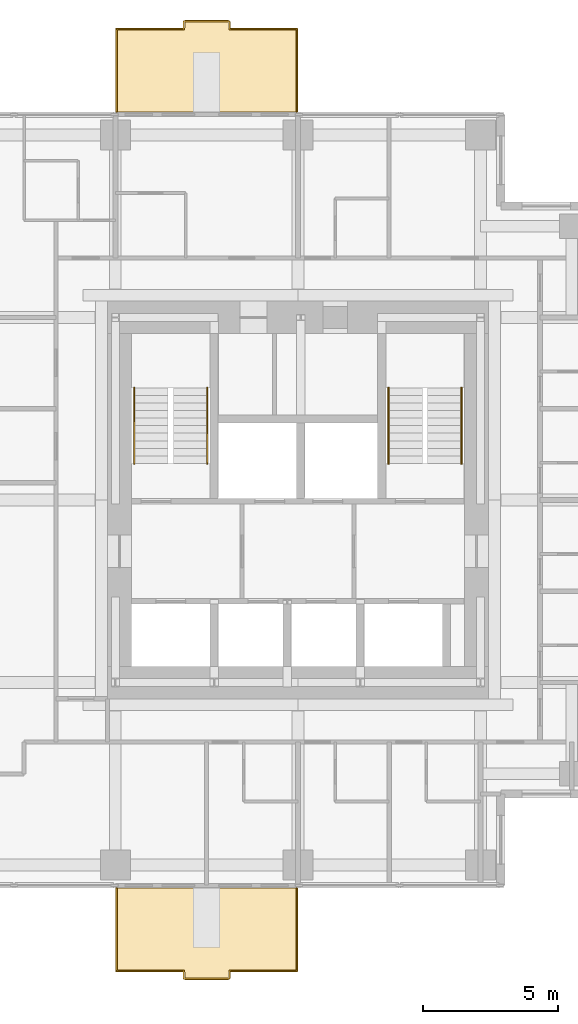
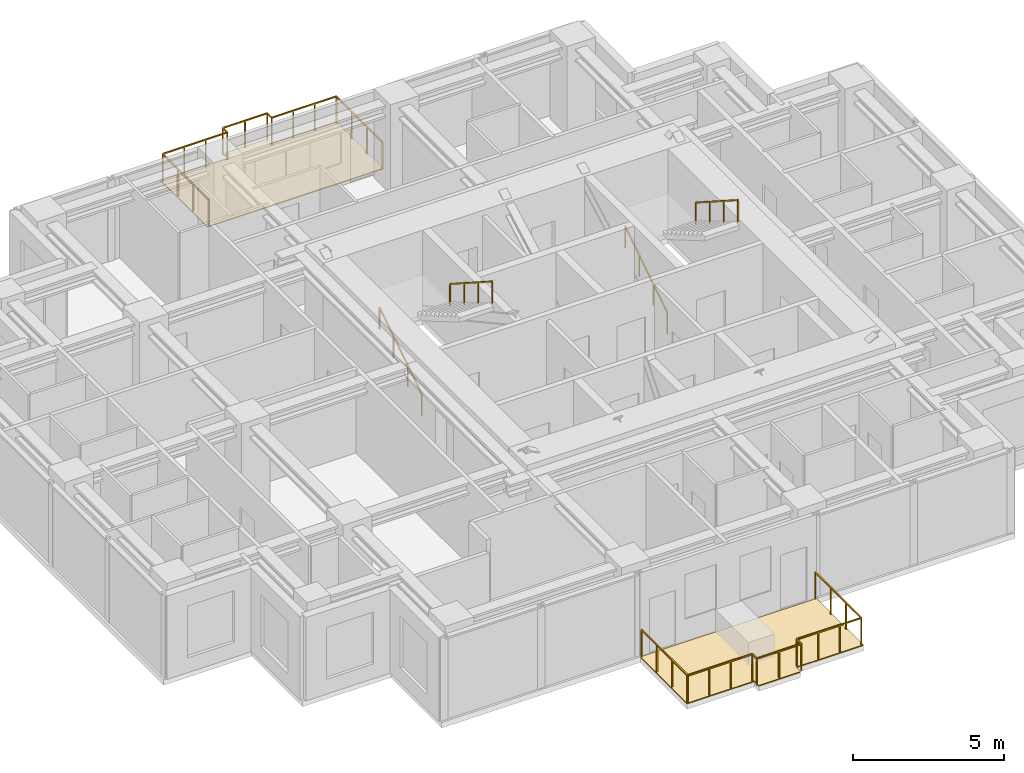
# One storey, part 8 of 8: 6 railings, 2 coverings.
"""IFC4 building model written with IfcOpenShell, lengths in metres."""

from ifc_helpers import new_model, si_unit, direction, frame, origin, origin_2d, place, context, subcontext, project, spatial, polyline, rectangle, outline, extrude, material, layer, layer_set, type_object, element, save


model = new_model("IFC4")

# Units and contexts
model_context = context("Model", 3, precision=1e-05, world=origin(), true_north=direction((0.0, 1.0)))
body_context = subcontext(model_context, "Body", "Model", "MODEL_VIEW")
ifc_project = project(units=[si_unit("LENGTHUNIT", "METRE"), si_unit("AREAUNIT", "SQUARE_METRE"), si_unit("VOLUMEUNIT", "CUBIC_METRE"), si_unit("PLANEANGLEUNIT", "RADIAN"), si_unit("MASSUNIT", "GRAM", prefix="KILO")], contexts=[model_context])

# Site, building, storey
site_placement = place(None, origin())
site = spatial("IfcSite", under=ifc_project, at=site_placement, CompositionType="ELEMENT")
building_placement = place(site_placement, origin())
building = spatial("IfcBuilding", under=site, at=building_placement, Name="Nyansa Garden Tower", CompositionType="ELEMENT")
storey_placement = place(building_placement, frame((0.0, 0.0, 218.699951171875)))
storey = spatial("IfcBuildingStorey", under=building, at=storey_placement, Name="L59", CompositionType="ELEMENT", Elevation=218.699951171875)

# Coverings
ifc_material_1 = material(Name="Hardwood decking on pedestals", Category="wood")
ifc_layer = layer(ifc_material_1, 0.0400390625)
ifc_layer_set = layer_set([ifc_layer], Name="Balcony decking DK40")
covering_type = type_object("IfcCoveringType", Name="Balcony decking DK40", PredefinedType="FLOORING", material=ifc_layer_set)
covering_1_placement = place(storey_placement, frame((0.0, 0.0, -0.0400390625)))
element("IfcCovering", 1, at=covering_1_placement, inside=storey, type_object=covering_type, Name="Balcony decking L59", PredefinedType="FLOORING", context=body_context, shape_type="SweptSolid", body=[
    extrude(outline(polyline([(13.5, 5.89990234375), (20.25, 5.89990234375), (20.25, 2.800048828125), (17.675048828125, 2.800048828125), (17.675048828125, 2.5), (16.074951171875, 2.5), (16.074951171875, 2.800048828125), (13.5, 2.800048828125), (13.5, 5.89990234375)])), origin(), (0.0, 0.0, 1.0), 0.0400390625),
])
covering_2_placement = place(storey_placement, frame((0.0, 0.0, -0.0400390625)))
element("IfcCovering", 2, at=covering_2_placement, inside=storey, type_object=covering_type, Name="Balcony decking L59", PredefinedType="FLOORING", context=body_context, shape_type="SweptSolid", body=[
    extrude(outline(polyline([(13.5, 34.60009765625), (20.25, 34.60009765625), (20.25, 37.699951171875), (17.675048828125, 37.699951171875), (17.675048828125, 38.0), (16.074951171875, 38.0), (16.074951171875, 37.699951171875), (13.5, 37.699951171875), (13.5, 34.60009765625)])), origin(), (0.0, 0.0, 1.0), 0.0400390625),
])

# Railings
ifc_material_2 = material(Name="Black powder-coated steel balusters, laminated glass infill", Category="steel")
railing_type_1 = type_object("IfcRailingType", Name="Balcony guard G1", PredefinedType="GUARDRAIL", material=ifc_material_2)
railing_1_placement = place(storey_placement, frame((13.550048828125, 5.89990234375, 0.0)))
element("IfcRailing", 3, at=railing_1_placement, inside=storey, type_object=railing_type_1, Name="Balcony guard L59", PredefinedType="GUARDRAIL", context=body_context, shape_type="SweptSolid", body=[
    extrude(rectangle(XDim=0.048095703125, YDim=0.048095703125, at=origin_2d()), frame((0.0, 0.0, 1.076171875), z_axis=(0.0, -1.0, 0.0), x_axis=(1.0, 0.0, 0.0)), (0.0, 0.0, 1.0), 3.0498046875),
    extrude(rectangle(XDim=0.048095703125, YDim=0.048095703125, at=origin_2d()), frame((0.0, -3.0498046875, 1.076171875), z_axis=(1.0, 0.0, 0.0), x_axis=(0.0, 1.0, 0.0)), (0.0, 0.0, 1.0), 2.474853515625),
    extrude(rectangle(XDim=0.048095703125, YDim=0.048095703125, at=origin_2d()), frame((2.474853515625, -3.0498046875, 1.076171875), z_axis=(0.0, -1.0, 0.0), x_axis=(1.0, 0.0, 0.0)), (0.0, 0.0, 1.0), 0.300048828125),
    extrude(rectangle(XDim=0.048095703125, YDim=0.048095703125, at=origin_2d()), frame((2.474853515625, -3.349853515625, 1.076171875), z_axis=(1.0, 0.0, 0.0), x_axis=(0.0, 1.0, 0.0)), (0.0, 0.0, 1.0), 1.7001953125),
    extrude(rectangle(XDim=0.048095703125, YDim=0.048095703125, at=origin_2d()), frame((4.175048828125, -3.349853515625, 1.076171875), z_axis=(0.0, 1.0, 0.0), x_axis=(-1.0, 0.0, 0.0)), (0.0, 0.0, 1.0), 0.300048828125),
    extrude(rectangle(XDim=0.048095703125, YDim=0.048095703125, at=origin_2d()), frame((4.175048828125, -3.0498046875, 1.076171875), z_axis=(1.0, 0.0, 0.0), x_axis=(0.0, 1.0, 0.0)), (0.0, 0.0, 1.0), 2.474853515625),
    extrude(rectangle(XDim=0.048095703125, YDim=0.048095703125, at=origin_2d()), frame((6.64990234375, -3.0498046875, 1.076171875), z_axis=(0.0, 1.0, 0.0), x_axis=(-1.0, 0.0, 0.0)), (0.0, 0.0, 1.0), 3.0498046875),
    extrude(rectangle(XDim=0.0419921875, YDim=0.0419921875, at=origin_2d()), origin(), (0.0, 0.0, 1.0), 1.052001953125),
    extrude(rectangle(XDim=0.0419921875, YDim=0.0419921875, at=origin_2d()), frame((0.0, -1.0166015625, 0.0)), (0.0, 0.0, 1.0), 1.052001953125),
    extrude(rectangle(XDim=0.0419921875, YDim=0.0419921875, at=origin_2d()), frame((0.0, -2.033203125, 0.0)), (0.0, 0.0, 1.0), 1.052001953125),
    extrude(rectangle(XDim=0.0419921875, YDim=0.0419921875, at=origin_2d()), frame((0.0, -3.0498046875, 0.0)), (0.0, 0.0, 1.0), 1.052001953125),
    extrude(rectangle(XDim=0.0419921875, YDim=0.0419921875, at=origin_2d()), frame((0.824951171875, -3.0498046875, 0.0)), (0.0, 0.0, 1.0), 1.052001953125),
    extrude(rectangle(XDim=0.0419921875, YDim=0.0419921875, at=origin_2d()), frame((1.64990234375, -3.0498046875, 0.0)), (0.0, 0.0, 1.0), 1.052001953125),
    extrude(rectangle(XDim=0.0419921875, YDim=0.0419921875, at=origin_2d()), frame((2.474853515625, -3.0498046875, 0.0)), (0.0, 0.0, 1.0), 1.052001953125),
    extrude(rectangle(XDim=0.0419921875, YDim=0.0419921875, at=origin_2d()), frame((2.474853515625, -3.349853515625, 0.0)), (0.0, 0.0, 1.0), 1.052001953125),
    extrude(rectangle(XDim=0.0419921875, YDim=0.0419921875, at=origin_2d()), frame((3.324951171875, -3.349853515625, 0.0)), (0.0, 0.0, 1.0), 1.052001953125),
    extrude(rectangle(XDim=0.0419921875, YDim=0.0419921875, at=origin_2d()), frame((4.175048828125, -3.349853515625, 0.0)), (0.0, 0.0, 1.0), 1.052001953125),
    extrude(rectangle(XDim=0.0419921875, YDim=0.0419921875, at=origin_2d()), frame((4.175048828125, -3.0498046875, 0.0)), (0.0, 0.0, 1.0), 1.052001953125),
    extrude(rectangle(XDim=0.0419921875, YDim=0.0419921875, at=origin_2d()), frame((5.0, -3.0498046875, 0.0)), (0.0, 0.0, 1.0), 1.052001953125),
    extrude(rectangle(XDim=0.0419921875, YDim=0.0419921875, at=origin_2d()), frame((5.824951171875, -3.0498046875, 0.0)), (0.0, 0.0, 1.0), 1.052001953125),
    extrude(rectangle(XDim=0.0419921875, YDim=0.0419921875, at=origin_2d()), frame((6.64990234375, -3.0498046875, 0.0)), (0.0, 0.0, 1.0), 1.052001953125),
    extrude(rectangle(XDim=0.0419921875, YDim=0.0419921875, at=origin_2d()), frame((6.64990234375, -2.033203125, 0.0)), (0.0, 0.0, 1.0), 1.052001953125),
    extrude(rectangle(XDim=0.0419921875, YDim=0.0419921875, at=origin_2d()), frame((6.64990234375, -1.0166015625, 0.0)), (0.0, 0.0, 1.0), 1.052001953125),
    extrude(rectangle(XDim=0.0419921875, YDim=0.0419921875, at=origin_2d()), frame((6.64990234375, 0.0, 0.0)), (0.0, 0.0, 1.0), 1.052001953125),
])
railing_2_placement = place(storey_placement, frame((13.550048828125, 34.60009765625, 0.0)))
element("IfcRailing", 4, at=railing_2_placement, inside=storey, type_object=railing_type_1, Name="Balcony guard L59", PredefinedType="GUARDRAIL", context=body_context, shape_type="SweptSolid", body=[
    extrude(rectangle(XDim=0.048095703125, YDim=0.048095703125, at=origin_2d()), frame((0.0, 0.0, 1.076171875), z_axis=(0.0, 1.0, 0.0), x_axis=(-1.0, 0.0, 0.0)), (0.0, 0.0, 1.0), 3.0498046875),
    extrude(rectangle(XDim=0.048095703125, YDim=0.048095703125, at=origin_2d()), frame((0.0, 3.0498046875, 1.076171875), z_axis=(1.0, 0.0, 0.0), x_axis=(0.0, 1.0, 0.0)), (0.0, 0.0, 1.0), 2.474853515625),
    extrude(rectangle(XDim=0.048095703125, YDim=0.048095703125, at=origin_2d()), frame((2.474853515625, 3.0498046875, 1.076171875), z_axis=(0.0, 1.0, 0.0), x_axis=(-1.0, 0.0, 0.0)), (0.0, 0.0, 1.0), 0.300048828125),
    extrude(rectangle(XDim=0.048095703125, YDim=0.048095703125, at=origin_2d()), frame((2.474853515625, 3.349853515625, 1.076171875), z_axis=(1.0, 0.0, 0.0), x_axis=(0.0, 1.0, 0.0)), (0.0, 0.0, 1.0), 1.7001953125),
    extrude(rectangle(XDim=0.048095703125, YDim=0.048095703125, at=origin_2d()), frame((4.175048828125, 3.349853515625, 1.076171875), z_axis=(0.0, -1.0, 0.0), x_axis=(1.0, 0.0, 0.0)), (0.0, 0.0, 1.0), 0.300048828125),
    extrude(rectangle(XDim=0.048095703125, YDim=0.048095703125, at=origin_2d()), frame((4.175048828125, 3.0498046875, 1.076171875), z_axis=(1.0, 0.0, 0.0), x_axis=(0.0, 1.0, 0.0)), (0.0, 0.0, 1.0), 2.474853515625),
    extrude(rectangle(XDim=0.048095703125, YDim=0.048095703125, at=origin_2d()), frame((6.64990234375, 3.0498046875, 1.076171875), z_axis=(0.0, -1.0, 0.0), x_axis=(1.0, 0.0, 0.0)), (0.0, 0.0, 1.0), 3.0498046875),
    extrude(rectangle(XDim=0.0419921875, YDim=0.0419921875, at=origin_2d()), origin(), (0.0, 0.0, 1.0), 1.052001953125),
    extrude(rectangle(XDim=0.0419921875, YDim=0.0419921875, at=origin_2d()), frame((0.0, 1.0166015625, 0.0)), (0.0, 0.0, 1.0), 1.052001953125),
    extrude(rectangle(XDim=0.0419921875, YDim=0.0419921875, at=origin_2d()), frame((0.0, 2.033203125, 0.0)), (0.0, 0.0, 1.0), 1.052001953125),
    extrude(rectangle(XDim=0.0419921875, YDim=0.0419921875, at=origin_2d()), frame((0.0, 3.0498046875, 0.0)), (0.0, 0.0, 1.0), 1.052001953125),
    extrude(rectangle(XDim=0.0419921875, YDim=0.0419921875, at=origin_2d()), frame((0.824951171875, 3.0498046875, 0.0)), (0.0, 0.0, 1.0), 1.052001953125),
    extrude(rectangle(XDim=0.0419921875, YDim=0.0419921875, at=origin_2d()), frame((1.64990234375, 3.0498046875, 0.0)), (0.0, 0.0, 1.0), 1.052001953125),
    extrude(rectangle(XDim=0.0419921875, YDim=0.0419921875, at=origin_2d()), frame((2.474853515625, 3.0498046875, 0.0)), (0.0, 0.0, 1.0), 1.052001953125),
    extrude(rectangle(XDim=0.0419921875, YDim=0.0419921875, at=origin_2d()), frame((2.474853515625, 3.349853515625, 0.0)), (0.0, 0.0, 1.0), 1.052001953125),
    extrude(rectangle(XDim=0.0419921875, YDim=0.0419921875, at=origin_2d()), frame((3.324951171875, 3.349853515625, 0.0)), (0.0, 0.0, 1.0), 1.052001953125),
    extrude(rectangle(XDim=0.0419921875, YDim=0.0419921875, at=origin_2d()), frame((4.175048828125, 3.349853515625, 0.0)), (0.0, 0.0, 1.0), 1.052001953125),
    extrude(rectangle(XDim=0.0419921875, YDim=0.0419921875, at=origin_2d()), frame((4.175048828125, 3.0498046875, 0.0)), (0.0, 0.0, 1.0), 1.052001953125),
    extrude(rectangle(XDim=0.0419921875, YDim=0.0419921875, at=origin_2d()), frame((5.0, 3.0498046875, 0.0)), (0.0, 0.0, 1.0), 1.052001953125),
    extrude(rectangle(XDim=0.0419921875, YDim=0.0419921875, at=origin_2d()), frame((5.824951171875, 3.0498046875, 0.0)), (0.0, 0.0, 1.0), 1.052001953125),
    extrude(rectangle(XDim=0.0419921875, YDim=0.0419921875, at=origin_2d()), frame((6.64990234375, 3.0498046875, 0.0)), (0.0, 0.0, 1.0), 1.052001953125),
    extrude(rectangle(XDim=0.0419921875, YDim=0.0419921875, at=origin_2d()), frame((6.64990234375, 2.033203125, 0.0)), (0.0, 0.0, 1.0), 1.052001953125),
    extrude(rectangle(XDim=0.0419921875, YDim=0.0419921875, at=origin_2d()), frame((6.64990234375, 1.0166015625, 0.0)), (0.0, 0.0, 1.0), 1.052001953125),
    extrude(rectangle(XDim=0.0419921875, YDim=0.0419921875, at=origin_2d()), frame((6.64990234375, 0.0, 0.0)), (0.0, 0.0, 1.0), 1.052001953125),
])
ifc_material_3 = material(Name="Black powder-coated steel tube 48 mm", Category="steel")
railing_type_2 = type_object("IfcRailingType", Name="Stair handrail HR1", PredefinedType="HANDRAIL", material=ifc_material_3)
railing_3_placement = place(storey_placement, frame((14.199951171875, 21.60009765625, 0.0)))
element("IfcRailing", 5, at=railing_3_placement, inside=storey, type_object=railing_type_2, Name="Stair S1 handrail L59", PredefinedType="HANDRAIL", context=body_context, shape_type="SweptSolid", body=[
    extrude(rectangle(XDim=0.048095703125, YDim=0.048095703125, at=origin_2d()), frame((0.0, 0.0, 0.8759765625), z_axis=(0.0, 0.841154643086, 0.54079466197), x_axis=(-1.0, 0.0, 0.0)), (0.0, 0.0, 1.0), 3.32861328125),
    extrude(rectangle(XDim=0.0419921875, YDim=0.0419921875, at=origin_2d()), origin(), (0.0, 0.0, 1.0), 0.851806640625),
    extrude(rectangle(XDim=0.0419921875, YDim=0.0419921875, at=origin_2d()), frame((0.0, 0.933349609375, 0.60009765625)), (0.0, 0.0, 1.0), 0.851806640625),
    extrude(rectangle(XDim=0.0419921875, YDim=0.0419921875, at=origin_2d()), frame((0.0, 1.866455078125, 1.199951171875)), (0.0, 0.0, 1.0), 0.851806640625),
    extrude(rectangle(XDim=0.0419921875, YDim=0.0419921875, at=origin_2d()), frame((0.0, 2.7998046875, 1.800048828125)), (0.0, 0.0, 1.0), 0.851806640625),
])
railing_4_placement = place(storey_placement, frame((16.89990234375, 24.39990234375, 1.800048828125)))
element("IfcRailing", 6, at=railing_4_placement, inside=storey, type_object=railing_type_2, Name="Stair S1 handrail L59", PredefinedType="HANDRAIL", context=body_context, shape_type="SweptSolid", body=[
    extrude(rectangle(XDim=0.048095703125, YDim=0.048095703125, at=origin_2d()), frame((0.0, 0.0, 0.8759765625), z_axis=(0.0, -0.841154643086, 0.54079466197), x_axis=(1.0, 0.0, 0.0)), (0.0, 0.0, 1.0), 3.32861328125),
    extrude(rectangle(XDim=0.0419921875, YDim=0.0419921875, at=origin_2d()), origin(), (0.0, 0.0, 1.0), 0.851806640625),
    extrude(rectangle(XDim=0.0419921875, YDim=0.0419921875, at=origin_2d()), frame((0.0, -0.933349609375, 0.60009765625)), (0.0, 0.0, 1.0), 0.851806640625),
    extrude(rectangle(XDim=0.0419921875, YDim=0.0419921875, at=origin_2d()), frame((0.0, -1.866455078125, 1.199951171875)), (0.0, 0.0, 1.0), 0.851806640625),
    extrude(rectangle(XDim=0.0419921875, YDim=0.0419921875, at=origin_2d()), frame((0.0, -2.7998046875, 1.800048828125)), (0.0, 0.0, 1.0), 0.851806640625),
])
railing_5_placement = place(storey_placement, frame((23.60009765625, 21.60009765625, 0.0)))
element("IfcRailing", 7, at=railing_5_placement, inside=storey, type_object=railing_type_2, Name="Stair S2 handrail L59", PredefinedType="HANDRAIL", context=body_context, shape_type="SweptSolid", body=[
    extrude(rectangle(XDim=0.048095703125, YDim=0.048095703125, at=origin_2d()), frame((0.0, 0.0, 0.8759765625), z_axis=(0.0, 0.841154643086, 0.54079466197), x_axis=(-1.0, 0.0, 0.0)), (0.0, 0.0, 1.0), 3.32861328125),
    extrude(rectangle(XDim=0.0419921875, YDim=0.0419921875, at=origin_2d()), origin(), (0.0, 0.0, 1.0), 0.851806640625),
    extrude(rectangle(XDim=0.0419921875, YDim=0.0419921875, at=origin_2d()), frame((0.0, 0.933349609375, 0.60009765625)), (0.0, 0.0, 1.0), 0.851806640625),
    extrude(rectangle(XDim=0.0419921875, YDim=0.0419921875, at=origin_2d()), frame((0.0, 1.866455078125, 1.199951171875)), (0.0, 0.0, 1.0), 0.851806640625),
    extrude(rectangle(XDim=0.0419921875, YDim=0.0419921875, at=origin_2d()), frame((0.0, 2.7998046875, 1.800048828125)), (0.0, 0.0, 1.0), 0.851806640625),
])
railing_6_placement = place(storey_placement, frame((26.300048828125, 24.39990234375, 1.800048828125)))
element("IfcRailing", 8, at=railing_6_placement, inside=storey, type_object=railing_type_2, Name="Stair S2 handrail L59", PredefinedType="HANDRAIL", context=body_context, shape_type="SweptSolid", body=[
    extrude(rectangle(XDim=0.048095703125, YDim=0.048095703125, at=origin_2d()), frame((0.0, 0.0, 0.8759765625), z_axis=(0.0, -0.841154643086, 0.54079466197), x_axis=(1.0, 0.0, 0.0)), (0.0, 0.0, 1.0), 3.32861328125),
    extrude(rectangle(XDim=0.0419921875, YDim=0.0419921875, at=origin_2d()), origin(), (0.0, 0.0, 1.0), 0.851806640625),
    extrude(rectangle(XDim=0.0419921875, YDim=0.0419921875, at=origin_2d()), frame((0.0, -0.933349609375, 0.60009765625)), (0.0, 0.0, 1.0), 0.851806640625),
    extrude(rectangle(XDim=0.0419921875, YDim=0.0419921875, at=origin_2d()), frame((0.0, -1.866455078125, 1.199951171875)), (0.0, 0.0, 1.0), 0.851806640625),
    extrude(rectangle(XDim=0.0419921875, YDim=0.0419921875, at=origin_2d()), frame((0.0, -2.7998046875, 1.800048828125)), (0.0, 0.0, 1.0), 0.851806640625),
])

save(model, "model.ifc")
